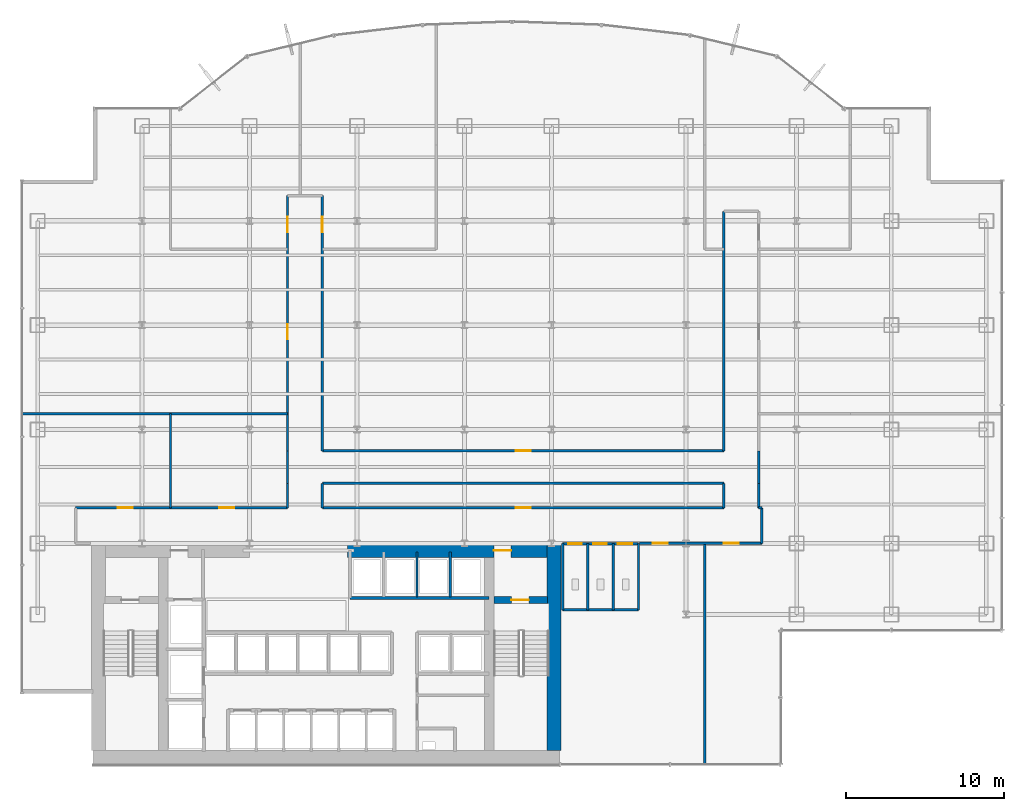
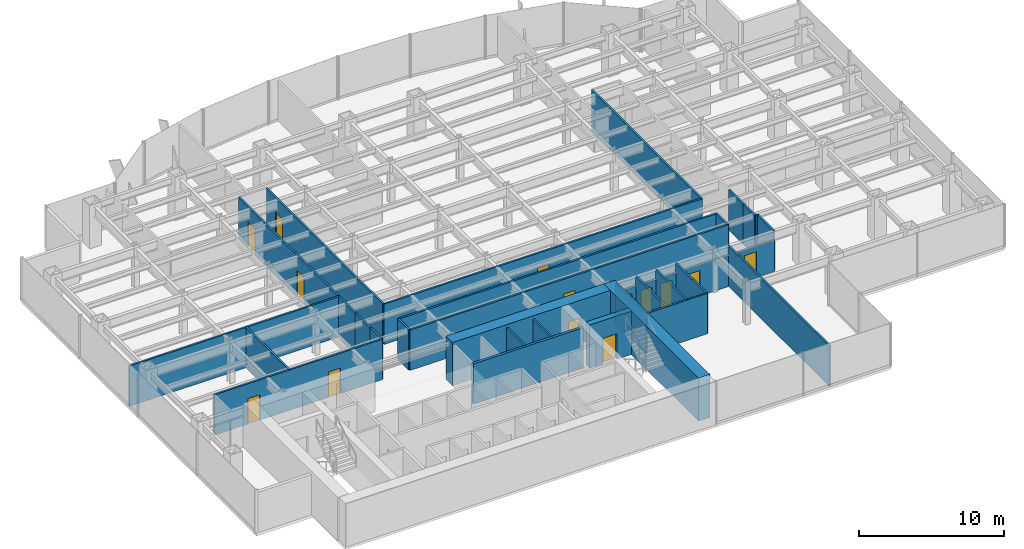
# One storey, part 18 of 22: 32 walls, 14 doors, 14 openings.
"""IFC4 building model written with IfcOpenShell, lengths in metres."""

from ifc_helpers import new_model, si_unit, derived_unit, direction, frame, frame_2d, origin, place, context, subcontext, project, spatial, rectangle, extrude, source, transform, mapped, material, layer, layer_set, type_object, element, fill, save


model = new_model("IFC4")

# Units and contexts
model_context = context("Model", 3, precision=1e-05, world=origin(), true_north=direction((0.0, 1.0)))
body_context = subcontext(model_context, "Body", "Model", "MODEL_VIEW")
ifc_project = project(units=[si_unit("LENGTHUNIT", "METRE"), si_unit("AREAUNIT", "SQUARE_METRE"), si_unit("VOLUMEUNIT", "CUBIC_METRE"), si_unit("PLANEANGLEUNIT", "RADIAN"), si_unit("MASSUNIT", "GRAM", prefix="KILO"), derived_unit("THERMALTRANSMITTANCEUNIT", [(si_unit("POWERUNIT", "WATT"), 1), (si_unit("LENGTHUNIT", "METRE"), -2), (si_unit("THERMODYNAMICTEMPERATUREUNIT", "KELVIN"), -1)])], contexts=[model_context])

# Site, building, storey
site_placement = place(None, origin())
site = spatial("IfcSite", under=ifc_project, at=site_placement, CompositionType="ELEMENT")
building_placement = place(site_placement, origin())
building = spatial("IfcBuilding", under=site, at=building_placement, Name="Skarnbrae Concourse Arena and Tower", CompositionType="ELEMENT")
storey_placement = place(building_placement, frame((0.0, 0.0, 58.050048828125)))
storey = spatial("IfcBuildingStorey", under=building, at=storey_placement, Name="L13", CompositionType="ELEMENT", Elevation=58.050048828125)

# Wall
ifc_material_1 = material(Name="Concrete 70 MPa (C70/85)", Category="concrete")
ifc_layer_1 = layer(ifc_material_1, 0.89990234375)
ifc_layer_set_1 = layer_set([ifc_layer_1], Name="Concrete 70 MPa (C70/85)")
wall_type_1 = type_object("IfcWallType", Name="WALL-CORE-900-C70", PredefinedType="SHEAR", material=ifc_layer_set_1)
shared_shape_1 = source(origin(), body_context, "Body", "SweptSolid", [
    extrude(rectangle(XDim=13.10009765625, YDim=0.89990234375, at=frame_2d((6.550048828125, 0.0))), origin(), (0.0, 0.0, 1.0), 3.64990234375),
])
wall_1_placement = place(storey_placement, frame((33.64990234375, 0.89990234375, 0.0), z_axis=(0.0, 0.0, 1.0), x_axis=(0.0, 1.0, 0.0)))
element("IfcWall", 1, at=wall_1_placement, inside=storey, type_object=wall_type_1, Name="L13 Rear core shear wall CW-E", PredefinedType="SHEAR", context=body_context, shape_type="MappedRepresentation", body=[
    mapped(shared_shape_1, transform((0.0, 0.0, 0.0))),
])

# Wall, opening, door
shared_shape_2 = source(origin(), body_context, "Body", "SweptSolid", [
    extrude(rectangle(XDim=12.599853515625, YDim=0.89990234375, at=frame_2d((6.2998046875, 0.0))), origin(), (0.0, 0.0, 1.0), 3.64990234375),
])
wall_2_placement = place(storey_placement, frame((20.60009765625, 13.550048828125, 0.0), z_axis=(0.0, 0.0, 1.0), x_axis=(1.0, 0.0, 0.0)))
wall_2 = element("IfcWall", 2, at=wall_2_placement, inside=storey, type_object=wall_type_1, Name="L13 Rear core shear wall CW-NE", PredefinedType="SHEAR", context=body_context, shape_type="MappedRepresentation", body=[
    mapped(shared_shape_2, transform((0.0, 0.0, 0.0))),
])
opening_1_placement = place(wall_2_placement, frame((9.25, 0.0, 0.0)))
opening_1 = element("IfcOpeningElement", 3, at=opening_1_placement, cuts=wall_2, Name="Opening DT-03", PredefinedType="OPENING", context=body_context, shape_type="SweptSolid", body=[
    extrude(rectangle(XDim=1.10009765625, YDim=2.14990234375, at=frame_2d((0.550048828125, 1.074951171875))), frame((0.0, 0.4599609375, 0.0), z_axis=(0.0, -1.0, 0.0), x_axis=(1.0, 0.0, 0.0)), (0.0, 0.0, 1.0), 0.919921875),
])
ifc_material_2 = material(Name="Steel CSA G40.21 350W", Category="steel")
door_type_1 = type_object("IfcDoorType", Name="DOOR-FIRE-1100-90M", OperationType="NOTDEFINED", PredefinedType="DOOR", material=ifc_material_2)
shared_shape_3 = source(origin(), body_context, "Body", "SweptSolid", [
    extrude(rectangle(XDim=1.10009765625, YDim=2.14990234375, at=frame_2d((0.550048828125, 1.074951171875))), frame((0.0, 0.02490234375, 0.0), z_axis=(0.0, -1.0, 0.0), x_axis=(1.0, 0.0, 0.0)), (0.0, 0.0, 1.0), 0.050048828125),
])
door_1_placement = place(opening_1_placement, origin())
door_1 = element("IfcDoor", 4, at=door_1_placement, inside=storey, type_object=door_type_1, Name="D-0524 Stair ST-2 Vestibule Door", OperationType="SINGLE_SWING_LEFT", OverallHeight=2.14990234375, OverallWidth=1.10009765625, PredefinedType="DOOR", context=body_context, shape_type="MappedRepresentation", body=[
    mapped(shared_shape_3, transform((0.0, 0.0, 0.0))),
])
fill(opening_1, door_1)

ifc_material_3 = material(Name="Concrete 50 MPa (C50/60)", Category="concrete")
ifc_layer_2 = layer(ifc_material_3, 0.449951171875)
ifc_layer_set_2 = layer_set([ifc_layer_2], Name="Concrete 50 MPa (C50/60)")
wall_type_2 = type_object("IfcWallType", Name="WALL-CORE-450-C50", PredefinedType="SHEAR", material=ifc_layer_set_2)
shared_shape_4 = source(origin(), body_context, "Body", "SweptSolid", [
    extrude(rectangle(XDim=3.389892578125, YDim=0.449951171875, at=frame_2d((1.69482421875, 0.0))), origin(), (0.0, 0.0, 1.0), 3.64990234375),
])
wall_3_placement = place(storey_placement, frame((29.860107421875, 10.419921875, 0.0), z_axis=(0.0, 0.0, 1.0), x_axis=(1.0, 0.0, 0.0)))
wall_3 = element("IfcWall", 5, at=wall_3_placement, inside=storey, type_object=wall_type_2, Name="L13 Rear core shear wall CW-ST2-N", PredefinedType="SHEAR", context=body_context, shape_type="MappedRepresentation", body=[
    mapped(shared_shape_4, transform((0.0, 0.0, 0.0))),
])
opening_2_placement = place(wall_3_placement, frame((1.10009765625, 0.0, 0.0)))
opening_2 = element("IfcOpeningElement", 6, at=opening_2_placement, cuts=wall_3, Name="Opening DT-03", PredefinedType="OPENING", context=body_context, shape_type="SweptSolid", body=[
    extrude(rectangle(XDim=1.10009765625, YDim=2.14990234375, at=frame_2d((0.550048828125, 1.074951171875))), frame((0.0, 0.23486328125, 0.0), z_axis=(0.0, -1.0, 0.0), x_axis=(1.0, 0.0, 0.0)), (0.0, 0.0, 1.0), 0.469970703125),
])
door_2_placement = place(opening_2_placement, frame((1.10009765625, 0.0, 0.0), z_axis=(0.0, 0.0, 1.0), x_axis=(-1.0, 0.0, 0.0)))
door_2 = element("IfcDoor", 7, at=door_2_placement, inside=storey, type_object=door_type_1, Name="D-0522 Stair ST-2 Door", OperationType="SINGLE_SWING_RIGHT", OverallHeight=2.14990234375, OverallWidth=1.10009765625, PredefinedType="DOOR", context=body_context, shape_type="MappedRepresentation", body=[
    mapped(shared_shape_3, transform((0.0, 0.0, 0.0))),
])
fill(opening_2, door_2)

# Walls
ifc_material_4 = material(Name="Gypsum board on cold-formed steel studs", Category="steel")
ifc_layer_3 = layer(ifc_material_4, 0.199951171875)
ifc_layer_set_3 = layer_set([ifc_layer_3], Name="Gypsum board on cold-formed steel studs")
wall_type_3 = type_object("IfcWallType", Name="WALL-PART-200-2HR", PredefinedType="PARTITIONING", material=ifc_layer_set_3)
shared_shape_5 = source(origin(), body_context, "Body", "SweptSolid", [
    extrude(rectangle(XDim=8.800048828125, YDim=0.199951171875, at=frame_2d((4.39990234375, 0.0))), origin(), (0.0, 0.0, 1.0), 3.39990234375),
])
wall_4_placement = place(storey_placement, frame((20.75, 10.550048828125, 0.0), z_axis=(0.0, 0.0, 1.0), x_axis=(1.0, 0.0, 0.0)))
element("IfcWall", 8, at=wall_4_placement, inside=storey, type_object=wall_type_3, Name="L13 Interior partition wall W-L13-B3N-S", PredefinedType="PARTITIONING", context=body_context, shape_type="MappedRepresentation", body=[
    mapped(shared_shape_5, transform((0.0, 0.0, 0.0))),
])
ifc_layer_4 = layer(ifc_material_4, 0.14990234375)
ifc_layer_set_4 = layer_set([ifc_layer_4], Name="Gypsum board on cold-formed steel studs")
wall_type_4 = type_object("IfcWallType", Name="WALL-PART-150", PredefinedType="PARTITIONING", material=ifc_layer_set_4)
shared_shape_6 = source(origin(), body_context, "Body", "SweptSolid", [
    extrude(rectangle(XDim=2.849853515625, YDim=0.14990234375, at=frame_2d((1.4248046875, 0.0))), origin(), (0.0, 0.0, 1.0), 3.39990234375),
])
for number, where, z_axis, x_axis, name in (
    (9, (24.989990234375, 10.60009765625, 0.0), (0.0, 0.0, 1.0), (0.0, 1.0, 0.0), "L13 Interior partition wall W-L13-B3N-P2"),
    (10, (27.090087890625, 10.60009765625, 0.0), (0.0, 0.0, 1.0), (0.0, 1.0, 0.0), "L13 Interior partition wall W-L13-B3N-P3"),
):
    element("IfcWall", number, at=place(storey_placement, frame(where, z_axis=z_axis, x_axis=x_axis)), inside=storey, type_object=wall_type_4, Name=name, PredefinedType="PARTITIONING", context=body_context, shape_type="MappedRepresentation", body=[
        mapped(shared_shape_6, transform((0.0, 0.0, 0.0))),
    ])

# Wall, openings, doors
shared_shape_7 = source(origin(), body_context, "Body", "SweptSolid", [
    extrude(rectangle(XDim=4.800048828125, YDim=0.14990234375, at=frame_2d((2.39990234375, 0.0))), origin(), (0.0, 0.0, 1.0), 2.625),
])
wall_5_placement = place(storey_placement, frame((34.199951171875, 13.97998046875, 0.0), z_axis=(0.0, 0.0, 1.0), x_axis=(1.0, 0.0, 0.0)))
wall_5 = element("IfcWall", 11, at=wall_5_placement, inside=storey, type_object=wall_type_4, Name="L13 Interior partition wall W-L13-WC-N", PredefinedType="PARTITIONING", context=body_context, shape_type="MappedRepresentation", body=[
    mapped(shared_shape_7, transform((0.0, 0.0, 0.0))),
])
opening_3_placement = place(wall_5_placement, frame((0.35009765625, 0.0, 0.0)))
opening_3 = element("IfcOpeningElement", 12, at=opening_3_placement, cuts=wall_5, Name="Opening DT-06", PredefinedType="OPENING", context=body_context, shape_type="SweptSolid", body=[
    extrude(rectangle(XDim=0.85009765625, YDim=2.10009765625, at=frame_2d((0.425048828125, 1.050048828125))), frame((0.0, 0.0849609375, 0.0), z_axis=(0.0, -1.0, 0.0), x_axis=(1.0, 0.0, 0.0)), (0.0, 0.0, 1.0), 0.169921875),
])
opening_4_placement = place(wall_5_placement, frame((1.949951171875, 0.0, 0.0)))
opening_4 = element("IfcOpeningElement", 13, at=opening_4_placement, cuts=wall_5, Name="Opening DT-06", PredefinedType="OPENING", context=body_context, shape_type="SweptSolid", body=[
    extrude(rectangle(XDim=0.85009765625, YDim=2.10009765625, at=frame_2d((0.425048828125, 1.050048828125))), frame((0.0, 0.0849609375, 0.0), z_axis=(0.0, -1.0, 0.0), x_axis=(1.0, 0.0, 0.0)), (0.0, 0.0, 1.0), 0.169921875),
])
opening_5_placement = place(wall_5_placement, frame((3.5, 0.0, 0.0)))
opening_5 = element("IfcOpeningElement", 14, at=opening_5_placement, cuts=wall_5, Name="Opening DT-05", PredefinedType="OPENING", context=body_context, shape_type="SweptSolid", body=[
    extrude(rectangle(XDim=0.89990234375, YDim=2.10009765625, at=frame_2d((0.449951171875, 1.050048828125))), frame((0.0, 0.0849609375, 0.0), z_axis=(0.0, -1.0, 0.0), x_axis=(1.0, 0.0, 0.0)), (0.0, 0.0, 1.0), 0.169921875),
])
ifc_material_5 = material(Name="Architectural oak veneer timber leaf", Category="wood")
door_type_2 = type_object("IfcDoorType", Name="DOOR-INT-850", OperationType="NOTDEFINED", PredefinedType="DOOR", material=ifc_material_5)
shared_shape_8 = source(origin(), body_context, "Body", "SweptSolid", [
    extrude(rectangle(XDim=0.85009765625, YDim=2.10009765625, at=frame_2d((0.425048828125, 1.050048828125))), frame((0.0, 0.02490234375, 0.0), z_axis=(0.0, -1.0, 0.0), x_axis=(1.0, 0.0, 0.0)), (0.0, 0.0, 1.0), 0.050048828125),
])
door_3_placement = place(opening_3_placement, frame((0.85009765625, 0.0, 0.0), z_axis=(0.0, 0.0, 1.0), x_axis=(-1.0, 0.0, 0.0)))
door_3 = element("IfcDoor", 15, at=door_3_placement, inside=storey, type_object=door_type_2, Name="D-0536 Male Washroom Door", OperationType="SINGLE_SWING_LEFT", OverallHeight=2.10009765625, OverallWidth=0.85009765625, PredefinedType="DOOR", context=body_context, shape_type="MappedRepresentation", body=[
    mapped(shared_shape_8, transform((0.0, 0.0, 0.0))),
])
fill(opening_3, door_3)
door_4_placement = place(opening_4_placement, frame((0.85009765625, 0.0, 0.0), z_axis=(0.0, 0.0, 1.0), x_axis=(-1.0, 0.0, 0.0)))
door_4 = element("IfcDoor", 16, at=door_4_placement, inside=storey, type_object=door_type_2, Name="D-0537 Female Washroom Door", OperationType="SINGLE_SWING_RIGHT", OverallHeight=2.10009765625, OverallWidth=0.85009765625, PredefinedType="DOOR", context=body_context, shape_type="MappedRepresentation", body=[
    mapped(shared_shape_8, transform((0.0, 0.0, 0.0))),
])
fill(opening_4, door_4)
door_type_3 = type_object("IfcDoorType", Name="DOOR-INT-900", OperationType="NOTDEFINED", PredefinedType="DOOR", material=ifc_material_5)
shared_shape_9 = source(origin(), body_context, "Body", "SweptSolid", [
    extrude(rectangle(XDim=0.89990234375, YDim=2.10009765625, at=frame_2d((0.449951171875, 1.050048828125))), frame((0.0, 0.02490234375, 0.0), z_axis=(0.0, -1.0, 0.0), x_axis=(1.0, 0.0, 0.0)), (0.0, 0.0, 1.0), 0.050048828125),
])
door_5_placement = place(opening_5_placement, frame((0.89990234375, 0.0, 0.0), z_axis=(0.0, 0.0, 1.0), x_axis=(-1.0, 0.0, 0.0)))
door_5 = element("IfcDoor", 17, at=door_5_placement, inside=storey, type_object=door_type_3, Name="D-0538 Accessible WC Door", OperationType="SINGLE_SWING_LEFT", OverallHeight=2.10009765625, OverallWidth=0.89990234375, PredefinedType="DOOR", context=body_context, shape_type="MappedRepresentation", body=[
    mapped(shared_shape_9, transform((0.0, 0.0, 0.0))),
])
fill(opening_5, door_5)

# Walls
shared_shape_10 = source(origin(), body_context, "Body", "SweptSolid", [
    extrude(rectangle(XDim=4.800048828125, YDim=0.14990234375, at=frame_2d((2.39990234375, 0.0))), origin(), (0.0, 0.0, 1.0), 3.39990234375),
])
wall_6_placement = place(storey_placement, frame((34.199951171875, 9.800048828125, 0.0), z_axis=(0.0, 0.0, 1.0), x_axis=(1.0, 0.0, 0.0)))
element("IfcWall", 18, at=wall_6_placement, inside=storey, type_object=wall_type_4, Name="L13 Interior partition wall W-L13-WC-S", PredefinedType="PARTITIONING", context=body_context, shape_type="MappedRepresentation", body=[
    mapped(shared_shape_10, transform((0.0, 0.0, 0.0))),
])
shared_shape_11 = source(origin(), body_context, "Body", "SweptSolid", [
    extrude(rectangle(XDim=4.179931640625, YDim=0.14990234375, at=frame_2d((2.08984375, 0.0))), origin(), (0.0, 0.0, 1.0), 3.39990234375),
])
for number, where, z_axis, x_axis, name in (
    (19, (39.0, 9.800048828125, 0.0), (0.0, 0.0, 1.0), (0.0, 1.0, 0.0), "L13 Interior partition wall W-L13-WC-E"),
    (20, (34.199951171875, 9.800048828125, 0.0), (0.0, 0.0, 1.0), (0.0, 1.0, 0.0), "L13 Interior partition wall W-L13-WC-W"),
    (21, (35.800048828125, 9.800048828125, 0.0), (0.0, 0.0, 1.0), (0.0, 1.0, 0.0), "L13 Interior partition wall W-L13-WC-D1"),
    (22, (37.39990234375, 9.800048828125, 0.0), (0.0, 0.0, 1.0), (0.0, 1.0, 0.0), "L13 Interior partition wall W-L13-WC-D2"),
):
    element("IfcWall", number, at=place(storey_placement, frame(where, z_axis=z_axis, x_axis=x_axis)), inside=storey, type_object=wall_type_4, Name=name, PredefinedType="PARTITIONING", context=body_context, shape_type="MappedRepresentation", body=[
        mapped(shared_shape_11, transform((0.0, 0.0, 0.0))),
    ])
ifc_layer_5 = layer(ifc_material_4, 0.14990234375)
ifc_layer_set_5 = layer_set([ifc_layer_5], Name="Gypsum board on cold-formed steel studs")
wall_type_5 = type_object("IfcWallType", Name="WALL-PART-150-1HR", PredefinedType="PARTITIONING", material=ifc_layer_set_5)
shared_shape_12 = source(origin(), body_context, "Body", "SweptSolid", [
    extrude(rectangle(XDim=2.25, YDim=0.14990234375, at=frame_2d((1.125, 0.0))), origin(), (0.0, 0.0, 1.0), 3.39990234375),
])
wall_7_placement = place(storey_placement, frame((46.800048828125, 16.25, 0.0), z_axis=(0.0, 0.0, 1.0), x_axis=(0.0, -1.0, 0.0)))
element("IfcWall", 23, at=wall_7_placement, inside=storey, type_object=wall_type_5, Name="L13 Interior partition wall W-L13-COR-16", PredefinedType="PARTITIONING", context=body_context, shape_type="MappedRepresentation", body=[
    mapped(shared_shape_12, transform((0.0, 0.0, 0.0))),
])
shared_shape_13 = source(origin(), body_context, "Body", "SweptSolid", [
    extrude(rectangle(XDim=2.050048828125, YDim=0.14990234375, at=frame_2d((1.02490234375, 0.0))), origin(), (0.0, 0.0, 1.0), 3.39990234375),
])
for number, where, z_axis, x_axis, name in (
    (24, (16.800048828125, 17.800048828125, 0.0), (0.0, 0.0, 1.0), (0.0, 1.0, 0.0), "L13 Interior partition wall W-L13-COR-05"),
    (25, (46.60009765625, 19.85009765625, 0.0), (0.0, 0.0, 1.0), (0.0, -1.0, 0.0), "L13 Interior partition wall W-L13-COR-13"),
):
    element("IfcWall", number, at=place(storey_placement, frame(where, z_axis=z_axis, x_axis=x_axis)), inside=storey, type_object=wall_type_5, Name=name, PredefinedType="PARTITIONING", context=body_context, shape_type="MappedRepresentation", body=[
        mapped(shared_shape_13, transform((0.0, 0.0, 0.0))),
    ])
shared_shape_14 = source(origin(), body_context, "Body", "SweptSolid", [
    extrude(rectangle(XDim=0.199951171875, YDim=0.14990234375, at=frame_2d((0.10009765625, 0.0))), origin(), (0.0, 0.0, 1.0), 3.39990234375),
])
wall_8_placement = place(storey_placement, frame((46.60009765625, 16.25, 0.0), z_axis=(0.0, 0.0, 1.0), x_axis=(1.0, 0.0, 0.0)))
element("IfcWall", 26, at=wall_8_placement, inside=storey, type_object=wall_type_5, Name="L13 Interior partition wall W-L13-COR-15", PredefinedType="PARTITIONING", context=body_context, shape_type="MappedRepresentation", body=[
    mapped(shared_shape_14, transform((0.0, 0.0, 0.0))),
])

# Wall, openings, doors
shared_shape_15 = source(origin(), body_context, "Body", "SweptSolid", [
    extrude(rectangle(XDim=7.75, YDim=0.14990234375, at=frame_2d((3.875, 0.0))), origin(), (0.0, 0.0, 1.0), 2.625),
])
wall_9_placement = place(storey_placement, frame((46.800048828125, 14.0, 0.0), z_axis=(0.0, 0.0, 1.0), x_axis=(-1.0, 0.0, 0.0)))
wall_9 = element("IfcWall", 27, at=wall_9_placement, inside=storey, type_object=wall_type_5, Name="L13 Interior partition wall W-L13-COR-17", PredefinedType="PARTITIONING", context=body_context, shape_type="MappedRepresentation", body=[
    mapped(shared_shape_15, transform((0.0, 0.0, 0.0))),
])
opening_6_placement = place(wall_9_placement, frame((5.9599609375, 0.0, 0.0)))
opening_6 = element("IfcOpeningElement", 28, at=opening_6_placement, cuts=wall_9, Name="Opening DT-04", PredefinedType="OPENING", context=body_context, shape_type="SweptSolid", body=[
    extrude(rectangle(XDim=0.949951171875, YDim=2.14990234375, at=frame_2d((0.47509765625, 1.074951171875))), frame((0.0, 0.0849609375, 0.0), z_axis=(0.0, -1.0, 0.0), x_axis=(1.0, 0.0, 0.0)), (0.0, 0.0, 1.0), 0.169921875),
])
opening_7_placement = place(wall_9_placement, frame((1.455078125, 0.0, 0.0)))
opening_7 = element("IfcOpeningElement", 29, at=opening_7_placement, cuts=wall_9, Name="Opening DT-04", PredefinedType="OPENING", context=body_context, shape_type="SweptSolid", body=[
    extrude(rectangle(XDim=0.949951171875, YDim=2.14990234375, at=frame_2d((0.47509765625, 1.074951171875))), frame((0.0, 0.0849609375, 0.0), z_axis=(0.0, -1.0, 0.0), x_axis=(1.0, 0.0, 0.0)), (0.0, 0.0, 1.0), 0.169921875),
])
door_type_4 = type_object("IfcDoorType", Name="DOOR-INT-950-45M", OperationType="NOTDEFINED", PredefinedType="DOOR", material=ifc_material_2)
shared_shape_16 = source(origin(), body_context, "Body", "SweptSolid", [
    extrude(rectangle(XDim=0.949951171875, YDim=2.14990234375, at=frame_2d((0.47509765625, 1.074951171875))), frame((0.0, 0.02490234375, 0.0), z_axis=(0.0, -1.0, 0.0), x_axis=(1.0, 0.0, 0.0)), (0.0, 0.0, 1.0), 0.050048828125),
])
door_6_placement = place(opening_6_placement, origin())
door_6 = element("IfcDoor", 30, at=door_6_placement, inside=storey, type_object=door_type_4, Name="D-0546 L13 Suite Door 08", OperationType="SINGLE_SWING_LEFT", OverallHeight=2.14990234375, OverallWidth=0.949951171875, PredefinedType="DOOR", context=body_context, shape_type="MappedRepresentation", body=[
    mapped(shared_shape_16, transform((0.0, 0.0, 0.0))),
])
fill(opening_6, door_6)
door_7_placement = place(opening_7_placement, origin())
door_7 = element("IfcDoor", 31, at=door_7_placement, inside=storey, type_object=door_type_4, Name="D-0548 L13 Suite Door 10", OperationType="SINGLE_SWING_LEFT", OverallHeight=2.14990234375, OverallWidth=0.949951171875, PredefinedType="DOOR", context=body_context, shape_type="MappedRepresentation", body=[
    mapped(shared_shape_16, transform((0.0, 0.0, 0.0))),
])
fill(opening_7, door_7)

shared_shape_17 = source(origin(), body_context, "Body", "SweptSolid", [
    extrude(rectangle(XDim=13.400146484375, YDim=0.14990234375, at=frame_2d((6.7001953125, 0.0))), origin(), (0.0, 0.0, 1.0), 3.39990234375),
])
wall_10_placement = place(storey_placement, frame((3.39990234375, 16.25, 0.0), z_axis=(0.0, 0.0, 1.0), x_axis=(1.0, 0.0, 0.0)))
wall_10 = element("IfcWall", 32, at=wall_10_placement, inside=storey, type_object=wall_type_5, Name="L13 Interior partition wall W-L13-COR-03", PredefinedType="PARTITIONING", context=body_context, shape_type="MappedRepresentation", body=[
    mapped(shared_shape_17, transform((0.0, 0.0, 0.0))),
])
opening_8_placement = place(wall_10_placement, frame((2.655029296875, 0.0, 0.0)))
opening_8 = element("IfcOpeningElement", 33, at=opening_8_placement, cuts=wall_10, Name="Opening DT-04", PredefinedType="OPENING", context=body_context, shape_type="SweptSolid", body=[
    extrude(rectangle(XDim=0.949951171875, YDim=2.14990234375, at=frame_2d((0.47509765625, 1.074951171875))), frame((0.0, 0.0849609375, 0.0), z_axis=(0.0, -1.0, 0.0), x_axis=(1.0, 0.0, 0.0)), (0.0, 0.0, 1.0), 0.169921875),
])
opening_9_placement = place(wall_10_placement, frame((9.094970703125, 0.0, 0.0)))
opening_9 = element("IfcOpeningElement", 34, at=opening_9_placement, cuts=wall_10, Name="Opening DT-04", PredefinedType="OPENING", context=body_context, shape_type="SweptSolid", body=[
    extrude(rectangle(XDim=0.949951171875, YDim=2.14990234375, at=frame_2d((0.47509765625, 1.074951171875))), frame((0.0, 0.0849609375, 0.0), z_axis=(0.0, -1.0, 0.0), x_axis=(1.0, 0.0, 0.0)), (0.0, 0.0, 1.0), 0.169921875),
])
door_8_placement = place(opening_8_placement, origin())
door_8 = element("IfcDoor", 35, at=door_8_placement, inside=storey, type_object=door_type_4, Name="D-0539 L13 Suite Door 01", OperationType="SINGLE_SWING_RIGHT", OverallHeight=2.14990234375, OverallWidth=0.949951171875, PredefinedType="DOOR", context=body_context, shape_type="MappedRepresentation", body=[
    mapped(shared_shape_16, transform((0.0, 0.0, 0.0))),
])
fill(opening_8, door_8)
door_9_placement = place(opening_9_placement, origin())
door_9 = element("IfcDoor", 36, at=door_9_placement, inside=storey, type_object=door_type_4, Name="D-0541 L13 Suite Door 03", OperationType="SINGLE_SWING_RIGHT", OverallHeight=2.14990234375, OverallWidth=0.949951171875, PredefinedType="DOOR", context=body_context, shape_type="MappedRepresentation", body=[
    mapped(shared_shape_16, transform((0.0, 0.0, 0.0))),
])
fill(opening_9, door_9)

# Walls
shared_shape_18 = source(origin(), body_context, "Body", "SweptSolid", [
    extrude(rectangle(XDim=1.550048828125, YDim=0.14990234375, at=frame_2d((0.77490234375, 0.0))), origin(), (0.0, 0.0, 1.0), 3.39990234375),
])
for number, where, z_axis, x_axis, name in (
    (37, (16.800048828125, 16.25, 0.0), (0.0, 0.0, 1.0), (0.0, 1.0, 0.0), "L13 Interior partition wall W-L13-COR-04"),
    (38, (46.60009765625, 17.800048828125, 0.0), (0.0, 0.0, 1.0), (0.0, -1.0, 0.0), "L13 Interior partition wall W-L13-COR-14"),
    (39, (44.39990234375, 16.25, 0.0), (0.0, 0.0, 1.0), (0.0, 1.0, 0.0), "L13 Interior partition wall W-L13-COR-19"),
    (40, (19.0, 17.800048828125, 0.0), (0.0, 0.0, 1.0), (0.0, -1.0, 0.0), "L13 Interior partition wall W-L13-COR-21"),
):
    element("IfcWall", number, at=place(storey_placement, frame(where, z_axis=z_axis, x_axis=x_axis)), inside=storey, type_object=wall_type_5, Name=name, PredefinedType="PARTITIONING", context=body_context, shape_type="MappedRepresentation", body=[
        mapped(shared_shape_18, transform((0.0, 0.0, 0.0))),
    ])

# Wall, openings, doors
shared_shape_19 = source(origin(), body_context, "Body", "SweptSolid", [
    extrude(rectangle(XDim=16.14990234375, YDim=0.14990234375, at=frame_2d((8.074951171875, 0.0))), origin(), (0.0, 0.0, 1.0), 3.39990234375),
])
wall_11_placement = place(storey_placement, frame((16.800048828125, 19.85009765625, 0.0), z_axis=(0.0, 0.0, 1.0), x_axis=(0.0, 1.0, 0.0)))
wall_11 = element("IfcWall", 41, at=wall_11_placement, inside=storey, type_object=wall_type_5, Name="L13 Interior partition wall W-L13-COR-06", PredefinedType="PARTITIONING", context=body_context, shape_type="MappedRepresentation", body=[
    mapped(shared_shape_19, transform((0.0, 0.0, 0.0))),
])
opening_10_placement = place(wall_11_placement, frame((7.074951171875, 0.0, 0.0)))
opening_10 = element("IfcOpeningElement", 42, at=opening_10_placement, cuts=wall_11, Name="Opening DT-04", PredefinedType="OPENING", context=body_context, shape_type="SweptSolid", body=[
    extrude(rectangle(XDim=0.949951171875, YDim=2.14990234375, at=frame_2d((0.47509765625, 1.074951171875))), frame((0.0, 0.0849609375, 0.0), z_axis=(0.0, -1.0, 0.0), x_axis=(1.0, 0.0, 0.0)), (0.0, 0.0, 1.0), 0.169921875),
])
opening_11_placement = place(wall_11_placement, frame((13.844970703125, 0.0, 0.0)))
opening_11 = element("IfcOpeningElement", 43, at=opening_11_placement, cuts=wall_11, Name="Opening DT-04", PredefinedType="OPENING", context=body_context, shape_type="SweptSolid", body=[
    extrude(rectangle(XDim=0.949951171875, YDim=2.14990234375, at=frame_2d((0.47509765625, 1.074951171875))), frame((0.0, 0.0849609375, 0.0), z_axis=(0.0, -1.0, 0.0), x_axis=(1.0, 0.0, 0.0)), (0.0, 0.0, 1.0), 0.169921875),
])
door_10_placement = place(opening_10_placement, origin())
door_10 = element("IfcDoor", 44, at=door_10_placement, inside=storey, type_object=door_type_4, Name="D-0540 L13 Suite Door 02", OperationType="SINGLE_SWING_LEFT", OverallHeight=2.14990234375, OverallWidth=0.949951171875, PredefinedType="DOOR", context=body_context, shape_type="MappedRepresentation", body=[
    mapped(shared_shape_16, transform((0.0, 0.0, 0.0))),
])
fill(opening_10, door_10)
door_11_placement = place(opening_11_placement, origin())
door_11 = element("IfcDoor", 45, at=door_11_placement, inside=storey, type_object=door_type_4, Name="D-0542 L13 Suite Door 04", OperationType="SINGLE_SWING_LEFT", OverallHeight=2.14990234375, OverallWidth=0.949951171875, PredefinedType="DOOR", context=body_context, shape_type="MappedRepresentation", body=[
    mapped(shared_shape_16, transform((0.0, 0.0, 0.0))),
])
fill(opening_11, door_11)

# Wall, opening, door
wall_12_placement = place(storey_placement, frame((19.0, 36.0, 0.0), z_axis=(0.0, 0.0, 1.0), x_axis=(0.0, -1.0, 0.0)))
wall_12 = element("IfcWall", 46, at=wall_12_placement, inside=storey, type_object=wall_type_5, Name="L13 Interior partition wall W-L13-COR-08", PredefinedType="PARTITIONING", context=body_context, shape_type="MappedRepresentation", body=[
    mapped(shared_shape_19, transform((0.0, 0.0, 0.0))),
])
opening_12_placement = place(wall_12_placement, frame((1.35498046875, 0.0, 0.0)))
opening_12 = element("IfcOpeningElement", 47, at=opening_12_placement, cuts=wall_12, Name="Opening DT-04", PredefinedType="OPENING", context=body_context, shape_type="SweptSolid", body=[
    extrude(rectangle(XDim=0.949951171875, YDim=2.14990234375, at=frame_2d((0.47509765625, 1.074951171875))), frame((0.0, 0.0849609375, 0.0), z_axis=(0.0, -1.0, 0.0), x_axis=(1.0, 0.0, 0.0)), (0.0, 0.0, 1.0), 0.169921875),
])
door_12_placement = place(opening_12_placement, origin())
door_12 = element("IfcDoor", 48, at=door_12_placement, inside=storey, type_object=door_type_4, Name="D-0543 L13 Suite Door 05", OperationType="SINGLE_SWING_RIGHT", OverallHeight=2.14990234375, OverallWidth=0.949951171875, PredefinedType="DOOR", context=body_context, shape_type="MappedRepresentation", body=[
    mapped(shared_shape_16, transform((0.0, 0.0, 0.0))),
])
fill(opening_12, door_12)

shared_shape_20 = source(origin(), body_context, "Body", "SweptSolid", [
    extrude(rectangle(XDim=25.39990234375, YDim=0.14990234375, at=frame_2d((12.699951171875, 0.0))), origin(), (0.0, 0.0, 1.0), 3.39990234375),
])
wall_13_placement = place(storey_placement, frame((19.0, 19.85009765625, 0.0), z_axis=(0.0, 0.0, 1.0), x_axis=(1.0, 0.0, 0.0)))
wall_13 = element("IfcWall", 49, at=wall_13_placement, inside=storey, type_object=wall_type_5, Name="L13 Interior partition wall W-L13-COR-09", PredefinedType="PARTITIONING", context=body_context, shape_type="MappedRepresentation", body=[
    mapped(shared_shape_20, transform((0.0, 0.0, 0.0))),
])
opening_13_placement = place(wall_13_placement, frame((12.22509765625, 0.0, 0.0)))
opening_13 = element("IfcOpeningElement", 50, at=opening_13_placement, cuts=wall_13, Name="Opening DT-04", PredefinedType="OPENING", context=body_context, shape_type="SweptSolid", body=[
    extrude(rectangle(XDim=0.949951171875, YDim=2.14990234375, at=frame_2d((0.47509765625, 1.074951171875))), frame((0.0, 0.0849609375, 0.0), z_axis=(0.0, -1.0, 0.0), x_axis=(1.0, 0.0, 0.0)), (0.0, 0.0, 1.0), 0.169921875),
])
door_13_placement = place(opening_13_placement, origin())
door_13 = element("IfcDoor", 51, at=door_13_placement, inside=storey, type_object=door_type_4, Name="D-0545 L13 Suite Door 07", OperationType="SINGLE_SWING_RIGHT", OverallHeight=2.14990234375, OverallWidth=0.949951171875, PredefinedType="DOOR", context=body_context, shape_type="MappedRepresentation", body=[
    mapped(shared_shape_16, transform((0.0, 0.0, 0.0))),
])
fill(opening_13, door_13)

wall_14_placement = place(storey_placement, frame((19.0, 16.25, 0.0), z_axis=(0.0, 0.0, 1.0), x_axis=(1.0, 0.0, 0.0)))
wall_14 = element("IfcWall", 52, at=wall_14_placement, inside=storey, type_object=wall_type_5, Name="L13 Interior partition wall W-L13-COR-18", PredefinedType="PARTITIONING", context=body_context, shape_type="MappedRepresentation", body=[
    mapped(shared_shape_20, transform((0.0, 0.0, 0.0))),
])
opening_14_placement = place(wall_14_placement, frame((12.22509765625, 0.0, 0.0)))
opening_14 = element("IfcOpeningElement", 53, at=opening_14_placement, cuts=wall_14, Name="Opening DT-04", PredefinedType="OPENING", context=body_context, shape_type="SweptSolid", body=[
    extrude(rectangle(XDim=0.949951171875, YDim=2.14990234375, at=frame_2d((0.47509765625, 1.074951171875))), frame((0.0, 0.0849609375, 0.0), z_axis=(0.0, -1.0, 0.0), x_axis=(1.0, 0.0, 0.0)), (0.0, 0.0, 1.0), 0.169921875),
])
door_14_placement = place(opening_14_placement, origin())
door_14 = element("IfcDoor", 54, at=door_14_placement, inside=storey, type_object=door_type_4, Name="D-0544 L13 Suite Door 06", OperationType="SINGLE_SWING_LEFT", OverallHeight=2.14990234375, OverallWidth=0.949951171875, PredefinedType="DOOR", context=body_context, shape_type="MappedRepresentation", body=[
    mapped(shared_shape_16, transform((0.0, 0.0, 0.0))),
])
fill(opening_14, door_14)

# Walls
wall_15_placement = place(storey_placement, frame((44.39990234375, 17.800048828125, 0.0), z_axis=(0.0, 0.0, 1.0), x_axis=(-1.0, 0.0, 0.0)))
element("IfcWall", 55, at=wall_15_placement, inside=storey, type_object=wall_type_5, Name="L13 Interior partition wall W-L13-COR-20", PredefinedType="PARTITIONING", context=body_context, shape_type="MappedRepresentation", body=[
    mapped(shared_shape_20, transform((0.0, 0.0, 0.0))),
])
shared_shape_21 = source(origin(), body_context, "Body", "SweptSolid", [
    extrude(rectangle(XDim=15.14990234375, YDim=0.14990234375, at=frame_2d((7.574951171875, 0.0))), origin(), (0.0, 0.0, 1.0), 3.39990234375),
])
wall_16_placement = place(storey_placement, frame((44.39990234375, 19.85009765625, 0.0), z_axis=(0.0, 0.0, 1.0), x_axis=(0.0, 1.0, 0.0)))
element("IfcWall", 56, at=wall_16_placement, inside=storey, type_object=wall_type_5, Name="L13 Interior partition wall W-L13-COR-10", PredefinedType="PARTITIONING", context=body_context, shape_type="MappedRepresentation", body=[
    mapped(shared_shape_21, transform((0.0, 0.0, 0.0))),
])
shared_shape_22 = source(origin(), body_context, "Body", "SweptSolid", [
    extrude(rectangle(XDim=9.3798828125, YDim=0.14990234375, at=frame_2d((4.68994140625, 0.0))), origin(), (0.0, 0.0, 1.0), 3.39990234375),
])
wall_17_placement = place(storey_placement, frame((0.02001953125, 22.199951171875, 0.0), z_axis=(0.0, 0.0, 1.0), x_axis=(1.0, 0.0, 0.0)))
element("IfcWall", 57, at=wall_17_placement, inside=storey, type_object=wall_type_4, Name="L13 Interior partition wall W-L13-DEM-22", PredefinedType="PARTITIONING", context=body_context, shape_type="MappedRepresentation", body=[
    mapped(shared_shape_22, transform((0.0, 0.0, 0.0))),
])
shared_shape_23 = source(origin(), body_context, "Body", "SweptSolid", [
    extrude(rectangle(XDim=5.949951171875, YDim=0.14990234375, at=frame_2d((2.97509765625, 0.0))), origin(), (0.0, 0.0, 1.0), 3.39990234375),
])
wall_18_placement = place(storey_placement, frame((9.39990234375, 22.199951171875, 0.0), z_axis=(0.0, 0.0, 1.0), x_axis=(0.0, -1.0, 0.0)))
element("IfcWall", 58, at=wall_18_placement, inside=storey, type_object=wall_type_4, Name="L13 Interior partition wall W-L13-DEM-23", PredefinedType="PARTITIONING", context=body_context, shape_type="MappedRepresentation", body=[
    mapped(shared_shape_23, transform((0.0, 0.0, 0.0))),
])
shared_shape_24 = source(origin(), body_context, "Body", "SweptSolid", [
    extrude(rectangle(XDim=7.400146484375, YDim=0.14990234375, at=frame_2d((3.7001953125, 0.0))), origin(), (0.0, 0.0, 1.0), 3.39990234375),
])
wall_19_placement = place(storey_placement, frame((16.800048828125, 22.199951171875, 0.0), z_axis=(0.0, 0.0, 1.0), x_axis=(-1.0, 0.0, 0.0)))
element("IfcWall", 59, at=wall_19_placement, inside=storey, type_object=wall_type_4, Name="L13 Interior partition wall W-L13-DEM-24", PredefinedType="PARTITIONING", context=body_context, shape_type="MappedRepresentation", body=[
    mapped(shared_shape_24, transform((0.0, 0.0, 0.0))),
])
shared_shape_25 = source(origin(), body_context, "Body", "SweptSolid", [
    extrude(rectangle(XDim=13.97998046875, YDim=0.14990234375, at=frame_2d((6.989990234375, 0.0))), origin(), (0.0, 0.0, 1.0), 3.39990234375),
])
wall_20_placement = place(storey_placement, frame((43.199951171875, 14.0, 0.0), z_axis=(0.0, 0.0, 1.0), x_axis=(0.0, -1.0, 0.0)))
element("IfcWall", 60, at=wall_20_placement, inside=storey, type_object=wall_type_4, Name="L13 Interior partition wall W-L13-DEM-33", PredefinedType="PARTITIONING", context=body_context, shape_type="MappedRepresentation", body=[
    mapped(shared_shape_25, transform((0.0, 0.0, 0.0))),
])

save(model, "model.ifc")
